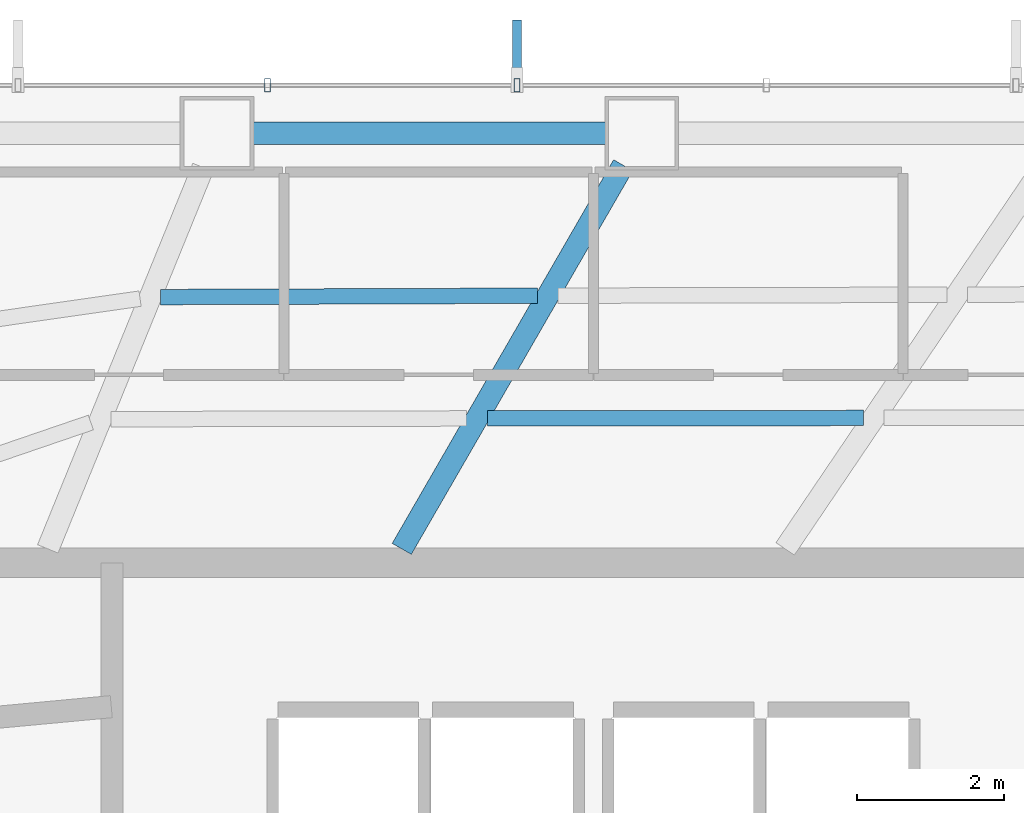
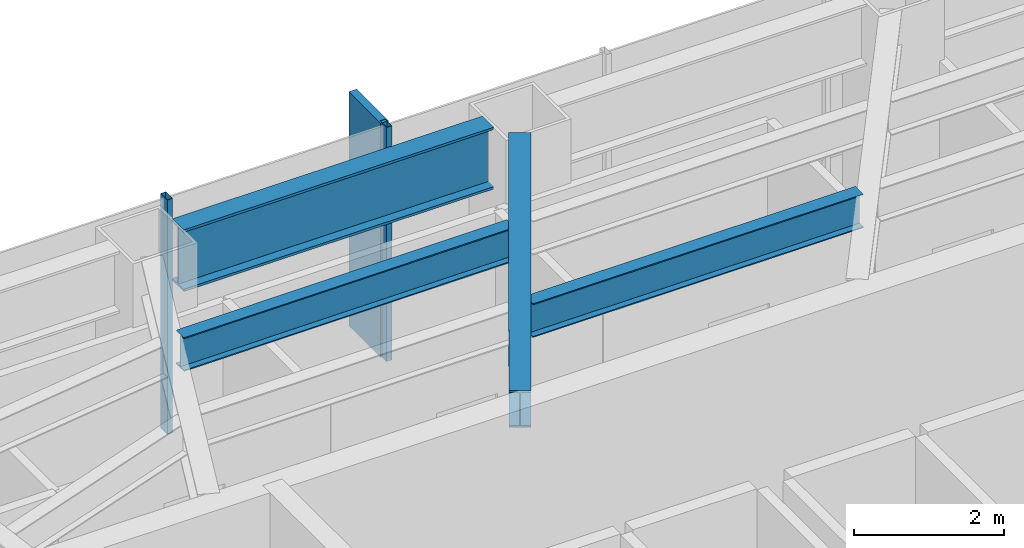
# One storey, part 13 of 25: 4 beams, 3 members, 1 element without a shape of its own.
"""IFC4 building model written with IfcOpenShell, lengths in metres."""

from ifc_helpers import new_model, si_unit, direction, frame, origin, origin_2d, place, context, subcontext, project, spatial, rectangle, hollow_rectangle, i_section, extrude, material, layer, layer_set, material_profile, profile_set, type_object, element, aggregate, save


model = new_model("IFC4")

# Units and contexts
model_context = context("Model", 3, precision=1e-05, world=origin(), true_north=direction((0.0, 1.0)))
body_context = subcontext(model_context, "Body", "Model", "MODEL_VIEW")
ifc_project = project(units=[si_unit("LENGTHUNIT", "METRE"), si_unit("AREAUNIT", "SQUARE_METRE"), si_unit("VOLUMEUNIT", "CUBIC_METRE"), si_unit("PLANEANGLEUNIT", "RADIAN"), si_unit("MASSUNIT", "GRAM", prefix="KILO")], contexts=[model_context])

# Site, building, storey
site_placement = place(None, origin())
site = spatial("IfcSite", under=ifc_project, at=site_placement, CompositionType="ELEMENT")
building_placement = place(site_placement, origin())
building = spatial("IfcBuilding", under=site, at=building_placement, Name="Zarrinselat Tower", CompositionType="ELEMENT")
storey_placement = place(building_placement, frame((0.0, 0.0, 52.02001953125)))
storey = spatial("IfcBuildingStorey", under=building, at=storey_placement, Name="L12", CompositionType="ELEMENT", Elevation=52.02001953125)

# Beams
ifc_material_1 = material(Name="Steel S355J2", Category="steel")
ifc_material_profile_1 = material_profile(ifc_material_1, i_section(OverallWidth=0.300048828125, OverallDepth=0.60009765625, WebThickness=0.015380859375, FlangeThickness=0.030029296875, at=origin_2d()), Name="HEB 600")
ifc_profile_set_1 = profile_set([ifc_material_profile_1], Name="Steel S355J2")
beam_type_1 = type_object("IfcBeamType", Name="BM-HEB600", PredefinedType="BEAM", material=ifc_profile_set_1)
beam_1_placement = place(storey_placement, frame((35.800048828125, 43.639892578125, 3.52001953125), z_axis=(0.49989365747, 0.866086791968, 0.0), x_axis=(-0.866086791968, 0.49989365747, 0.0)))
element("IfcBeam", 1, at=beam_1_placement, inside=storey, type_object=beam_type_1, Name="L12 Radial Primary Girder RG03", PredefinedType="BEAM", context=body_context, shape_type="SweptSolid", body=[
    extrude(i_section(OverallWidth=0.300048828125, OverallDepth=0.60009765625, WebThickness=0.015380859375, FlangeThickness=0.030029296875, at=origin_2d()), origin(), (0.0, 0.0, 1.0), 6.007568359375),
])
ifc_material_2 = material(Name="Steel S460M", Category="steel")
ifc_material_profile_2 = material_profile(ifc_material_2, i_section(OverallWidth=0.302001953125, OverallDepth=1.008056640625, WebThickness=0.02099609375, FlangeThickness=0.0400390625, at=origin_2d()), Name="HEM 1000")
ifc_profile_set_2 = profile_set([ifc_material_profile_2], Name="Steel S460M")
beam_type_2 = type_object("IfcBeamType", Name="BM-HEM1000", PredefinedType="BEAM", material=ifc_profile_set_2)
beam_2_placement = place(storey_placement, frame((33.782470703125, 49.27783203125, 3.31591796875), z_axis=(1.0, 0.0, 0.0), x_axis=(0.0, 1.0, 0.0)))
element("IfcBeam", 2, at=beam_2_placement, inside=storey, type_object=beam_type_2, Name="L12 Perimeter Spandrel Girder SP03", PredefinedType="BEAM", context=body_context, shape_type="SweptSolid", body=[
    extrude(i_section(OverallWidth=0.302001953125, OverallDepth=1.008056640625, WebThickness=0.02099609375, FlangeThickness=0.0400390625, at=origin_2d()), origin(), (0.0, 0.0, 1.0), 4.783935546875),
])
ifc_material_3 = material(Name="Steel S355J2", Category="steel")
ifc_material_profile_3 = material_profile(ifc_material_3, i_section(OverallWidth=0.2099609375, OverallDepth=0.550048828125, WebThickness=0.010986328125, FlangeThickness=0.01708984375, at=origin_2d()), Name="IPE 550")
ifc_profile_set_3 = profile_set([ifc_material_profile_3], Name="Steel S355J2")
beam_type_3 = type_object("IfcBeamType", Name="BM-IPE550", PredefinedType="JOIST", material=ifc_profile_set_3)
beam_3_placement = place(storey_placement, frame((36.961181640625, 45.4091796875, 3.544921875), z_axis=(0.999999283902, 0.001196743997, 0.0), x_axis=(-0.001196743997, 0.999999283902, 0.0)))
element("IfcBeam", 3, at=beam_3_placement, inside=storey, type_object=beam_type_3, Name="L12 Composite Floor Joist 8-2", PredefinedType="JOIST", context=body_context, shape_type="SweptSolid", body=[
    extrude(i_section(OverallWidth=0.2099609375, OverallDepth=0.550048828125, WebThickness=0.010986328125, FlangeThickness=0.01708984375, at=origin_2d()), origin(), (0.0, 0.0, 1.0), 5.10009765625),
])
beam_4_placement = place(storey_placement, frame((32.529296875, 47.0546875, 3.544921875), z_axis=(0.99999324056, 0.003676796845, 0.0), x_axis=(-0.003676796845, 0.99999324056, 0.0)))
element("IfcBeam", 4, at=beam_4_placement, inside=storey, type_object=beam_type_3, Name="L12 Composite Floor Joist 9-1", PredefinedType="JOIST", context=body_context, shape_type="SweptSolid", body=[
    extrude(i_section(OverallWidth=0.2099609375, OverallDepth=0.550048828125, WebThickness=0.010986328125, FlangeThickness=0.01708984375, at=origin_2d()), origin(), (0.0, 0.0, 1.0), 5.11279296875),
])

# Curtain wall, members
ifc_material_4 = material(Name="Extruded Aluminium Alloy EN AW-6063 T6", Category="aluminium")
ifc_layer = layer(ifc_material_4, 0.18505859375)
ifc_layer_set = layer_set([ifc_layer], Name="Extruded Aluminium Alloy EN AW-6063 T6")
curtain_wall_type = type_object("IfcCurtainWallType", Name="CWS-OFF", PredefinedType="NOTDEFINED", material=ifc_layer_set)
curtain_wall_placement = place(storey_placement, origin())
curtain_wall = element("IfcCurtainWall", 5, at=curtain_wall_placement, inside=storey, type_object=curtain_wall_type, Name="L12 Unitised Curtain Wall CW-L12-E01", PredefinedType="NOTDEFINED")
ifc_material_5 = material(Name="Extruded Aluminium Alloy EN AW-6063 T6", Category="aluminium")
ifc_material_profile_4 = material_profile(ifc_material_5, hollow_rectangle(XDim=0.080078125, YDim=0.179931640625, WallThickness=0.0048828125, at=origin_2d()), Name="RHS 180x80x5")
ifc_profile_set_4 = profile_set([ifc_material_profile_4], Name="Extruded Aluminium Alloy EN AW-6063 T6")
member_type_1 = type_object("IfcMemberType", Name="MEM-CW-MUL", PredefinedType="MULLION", material=ifc_profile_set_4)
member_1_placement = place(storey_placement, frame((37.362548828125, 49.927734375, 0.0), z_axis=(0.0, 0.0, 1.0), x_axis=(-1.0, 0.0, 0.0)))
member_1 = element("IfcMember", 6, at=member_1_placement, type_object=member_type_1, Name="CW-L12-E01 Mullion 5", PredefinedType="MULLION", context=body_context, shape_type="SweptSolid", body=[
    extrude(hollow_rectangle(XDim=0.080078125, YDim=0.179931640625, WallThickness=0.0048828125, at=origin_2d()), origin(), (0.0, 0.0, 1.0), 3.820068359375),
])
member_2_placement = place(storey_placement, frame((33.978759765625, 49.927734375, 0.0), z_axis=(0.0, 0.0, 1.0), x_axis=(-1.0, 0.0, 0.0)))
member_2 = element("IfcMember", 7, at=member_2_placement, type_object=member_type_1, Name="CW-L12-E01 Mullion 6", PredefinedType="MULLION", context=body_context, shape_type="SweptSolid", body=[
    extrude(hollow_rectangle(XDim=0.080078125, YDim=0.179931640625, WallThickness=0.0048828125, at=origin_2d()), origin(), (0.0, 0.0, 1.0), 3.820068359375),
])
ifc_material_6 = material(Name="Honed Cream Travertine Stone", Category="masonry")
ifc_material_profile_5 = material_profile(ifc_material_6, rectangle(XDim=0.1201171875, YDim=0.85009765625, at=origin_2d()), Name="FIN 850x120")
ifc_profile_set_5 = profile_set([ifc_material_profile_5], Name="Honed Cream Travertine Stone")
member_type_2 = type_object("IfcMemberType", Name="MEM-STONE-FIN", PredefinedType="USERDEFINED", material=ifc_profile_set_5)
member_3_placement = place(storey_placement, frame((37.362548828125, 50.3876953125, 0.0), z_axis=(0.0, 0.0, 1.0), x_axis=(1.0, 0.0, 0.0)))
member_3 = element("IfcMember", 8, at=member_3_placement, type_object=member_type_2, Name="L12 Stone Shading Fin CW-L12-E01-05", ObjectType="FIN", PredefinedType="USERDEFINED", context=body_context, shape_type="SweptSolid", body=[
    extrude(rectangle(XDim=0.1201171875, YDim=0.85009765625, at=origin_2d()), origin(), (0.0, 0.0, 1.0), 3.820068359375),
])
aggregate(curtain_wall, [member_1, member_3, member_2])

save(model, "model.ifc")
